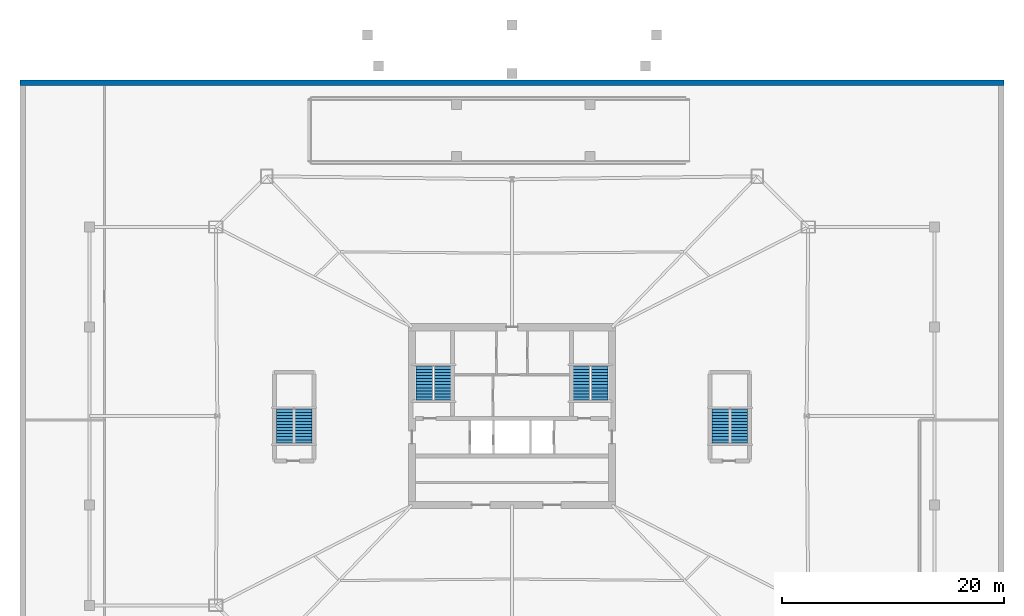
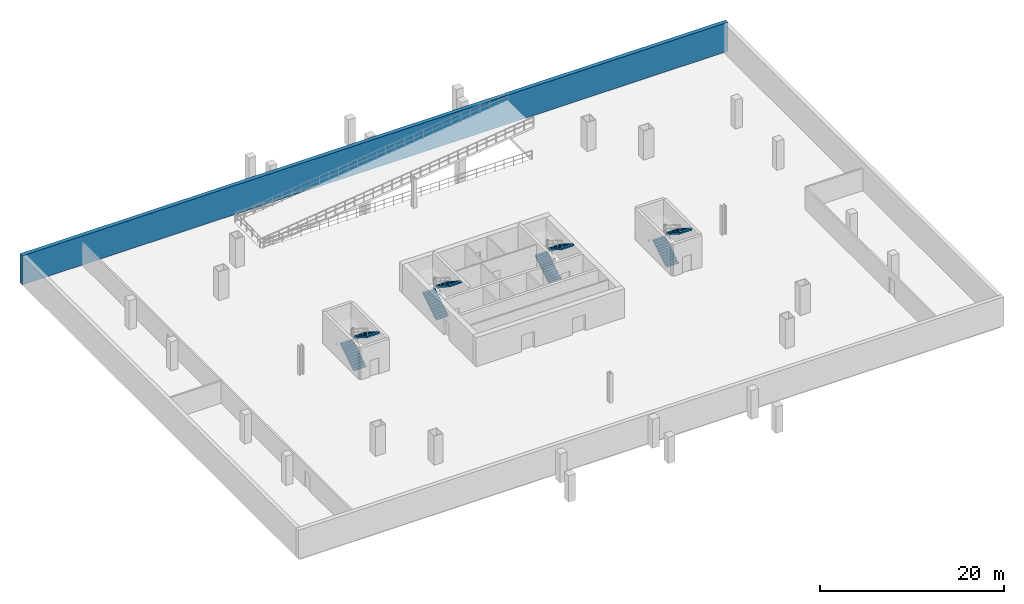
# One storey, part 6 of 9: 8 stair flights, 1 wall, 4 elements without a shape of their own.
"""IFC4 building model written with IfcOpenShell, lengths in metres."""

from ifc_helpers import new_model, si_unit, direction, frame, frame_2d, origin, place, context, subcontext, project, spatial, polyline, rectangle, outline, extrude, material, layer, layer_set, type_object, element, aggregate, save


model = new_model("IFC4")

# Units and contexts
model_context = context("Model", 3, precision=1e-05, world=origin(), true_north=direction((0.0, 1.0)))
body_context = subcontext(model_context, "Body", "Model", "MODEL_VIEW")
ifc_project = project(units=[si_unit("LENGTHUNIT", "METRE"), si_unit("AREAUNIT", "SQUARE_METRE"), si_unit("VOLUMEUNIT", "CUBIC_METRE"), si_unit("PLANEANGLEUNIT", "RADIAN"), si_unit("MASSUNIT", "GRAM", prefix="KILO")], contexts=[model_context])

# Site, building, storey
site_placement = place(None, origin())
site = spatial("IfcSite", under=ifc_project, at=site_placement, CompositionType="ELEMENT")
building_placement = place(site_placement, origin())
building = spatial("IfcBuilding", under=site, at=building_placement, Name="Caelvoria Tower", CompositionType="ELEMENT")
storey_placement = place(building_placement, frame((0.0, 0.0, -4.199951171875)))
storey = spatial("IfcBuildingStorey", under=building, at=storey_placement, Name="B1", CompositionType="ELEMENT", Elevation=-4.199951171875)

# Wall
ifc_material_1 = material(Name="Concrete C40/50", Category="concrete")
ifc_layer = layer(ifc_material_1, 0.5, Name="Concrete C40/50")
ifc_layer_set = layer_set([ifc_layer], Name="Basement Retaining Wall 500 - Concrete C40/50")
wall_type = type_object("IfcWallType", Name="Basement Retaining Wall 500", PredefinedType="SOLIDWALL", material=ifc_layer_set)
wall_placement = place(storey_placement, frame((1.75, 62.0, 0.0), z_axis=(0.0, 0.0, 1.0), x_axis=(1.0, 0.0, 0.0)))
element("IfcWall", 1, at=wall_placement, inside=storey, type_object=wall_type, Name="B1 Retaining Wall N", PredefinedType="SOLIDWALL", context=body_context, shape_type="SweptSolid", body=[
    extrude(rectangle(XDim=88.5, YDim=0.5, at=frame_2d((44.25, 0.0))), origin(), (0.0, 0.0, 1.0), 3.849853515625),
])

# Stair, stair flights
stair_type = type_object("IfcStairType", Name="Core Smokeproof Dogleg Stair Concrete C40/50", PredefinedType="HALF_TURN_STAIR", material=ifc_material_1)
stair_1_placement = place(storey_placement, origin())
stair_1 = element("IfcStair", 2, at=stair_1_placement, inside=storey, type_object=stair_type, Name="ST-01 Smokeproof Exit Stair B1", PredefinedType="HALF_TURN_STAIR")
ifc_material_2 = material(Name="Precast Concrete C40/50", Category="concrete")
stair_flight_type = type_object("IfcStairFlightType", Name="Precast Concrete C40/50 Stair Flight 1480", PredefinedType="STRAIGHT", material=ifc_material_2)
stair_flight_1_placement = place(storey_placement, frame((38.1298828125, 33.449951171875, 0.0), z_axis=(0.0, 0.0, 1.0), x_axis=(0.0, 1.0, 0.0)))
stair_flight_1 = element("IfcStairFlight", 3, at=stair_flight_1_placement, type_object=stair_flight_type, Name="ST-01 flight 1", NumberOfRisers=12, NumberOfTreads=11, PredefinedType="STRAIGHT", RiserHeight=0.175, TreadLength=0.275, context=body_context, shape_type="SweptSolid", body=[
    extrude(outline(polyline([(0.0, 0.0), (0.0, 0.175048828125), (0.27490234375, 0.175048828125), (0.27490234375, 0.35009765625), (0.550048828125, 0.35009765625), (0.550048828125, 0.52490234375), (0.824951171875, 0.52490234375), (0.824951171875, 0.699951171875), (1.10009765625, 0.699951171875), (1.10009765625, 0.875), (1.375, 0.875), (1.375, 1.050048828125), (1.64990234375, 1.050048828125), (1.64990234375, 1.22509765625), (1.925048828125, 1.22509765625), (1.925048828125, 1.39990234375), (2.199951171875, 1.39990234375), (2.199951171875, 1.574951171875), (2.47509765625, 1.574951171875), (2.47509765625, 1.75), (2.75, 1.75), (2.75, 1.925048828125), (3.02490234375, 1.925048828125), (3.02490234375, 2.10009765625), (3.02490234375, 1.7353515625), (0.2978515625, 0.0), (0.0, 0.0)])), frame((0.0, 0.77001953125, 0.0), z_axis=(0.0, -1.0, 0.0), x_axis=(1.0, 0.0, 0.0)), (0.0, 0.0, 1.0), 1.5400390625),
])
stair_flight_2_placement = place(storey_placement, frame((39.77001953125, 36.47509765625, 2.099853515625), z_axis=(0.0, 0.0, 1.0), x_axis=(0.0, -1.0, 0.0)))
stair_flight_2 = element("IfcStairFlight", 4, at=stair_flight_2_placement, type_object=stair_flight_type, Name="ST-01 flight 2", NumberOfRisers=12, NumberOfTreads=11, PredefinedType="STRAIGHT", RiserHeight=0.175, TreadLength=0.275, context=body_context, shape_type="SweptSolid", body=[
    extrude(outline(polyline([(0.0, 0.0), (0.0, 0.175048828125), (0.27490234375, 0.175048828125), (0.27490234375, 0.35009765625), (0.550048828125, 0.35009765625), (0.550048828125, 0.52490234375), (0.824951171875, 0.52490234375), (0.824951171875, 0.699951171875), (1.10009765625, 0.699951171875), (1.10009765625, 0.875), (1.375, 0.875), (1.375, 1.050048828125), (1.64990234375, 1.050048828125), (1.64990234375, 1.22509765625), (1.925048828125, 1.22509765625), (1.925048828125, 1.39990234375), (2.199951171875, 1.39990234375), (2.199951171875, 1.574951171875), (2.47509765625, 1.574951171875), (2.47509765625, 1.75), (2.75, 1.75), (2.75, 1.925048828125), (3.02490234375, 1.925048828125), (3.02490234375, 2.10009765625), (3.02490234375, 1.7353515625), (0.2978515625, 0.0), (0.0, 0.0)])), frame((0.0, 0.77001953125, 0.0), z_axis=(0.0, -1.0, 0.0), x_axis=(1.0, 0.0, 0.0)), (0.0, 0.0, 1.0), 1.5400390625),
])
aggregate(stair_1, [stair_flight_1, stair_flight_2])

stair_2_placement = place(storey_placement, origin())
stair_2 = element("IfcStair", 5, at=stair_2_placement, inside=storey, type_object=stair_type, Name="ST-02 Smokeproof Exit Stair B1", PredefinedType="HALF_TURN_STAIR")
stair_flight_3_placement = place(storey_placement, frame((52.22998046875, 33.449951171875, 0.0), z_axis=(0.0, 0.0, 1.0), x_axis=(0.0, 1.0, 0.0)))
stair_flight_3 = element("IfcStairFlight", 6, at=stair_flight_3_placement, type_object=stair_flight_type, Name="ST-02 flight 1", NumberOfRisers=12, NumberOfTreads=11, PredefinedType="STRAIGHT", RiserHeight=0.175, TreadLength=0.275, context=body_context, shape_type="SweptSolid", body=[
    extrude(outline(polyline([(0.0, 0.0), (0.0, 0.175048828125), (0.27490234375, 0.175048828125), (0.27490234375, 0.35009765625), (0.550048828125, 0.35009765625), (0.550048828125, 0.52490234375), (0.824951171875, 0.52490234375), (0.824951171875, 0.699951171875), (1.10009765625, 0.699951171875), (1.10009765625, 0.875), (1.375, 0.875), (1.375, 1.050048828125), (1.64990234375, 1.050048828125), (1.64990234375, 1.22509765625), (1.925048828125, 1.22509765625), (1.925048828125, 1.39990234375), (2.199951171875, 1.39990234375), (2.199951171875, 1.574951171875), (2.47509765625, 1.574951171875), (2.47509765625, 1.75), (2.75, 1.75), (2.75, 1.925048828125), (3.02490234375, 1.925048828125), (3.02490234375, 2.10009765625), (3.02490234375, 1.7353515625), (0.2978515625, 0.0), (0.0, 0.0)])), frame((0.0, 0.77001953125, 0.0), z_axis=(0.0, -1.0, 0.0), x_axis=(1.0, 0.0, 0.0)), (0.0, 0.0, 1.0), 1.5400390625),
])
stair_flight_4_placement = place(storey_placement, frame((53.8701171875, 36.47509765625, 2.099853515625), z_axis=(0.0, 0.0, 1.0), x_axis=(0.0, -1.0, 0.0)))
stair_flight_4 = element("IfcStairFlight", 7, at=stair_flight_4_placement, type_object=stair_flight_type, Name="ST-02 flight 2", NumberOfRisers=12, NumberOfTreads=11, PredefinedType="STRAIGHT", RiserHeight=0.175, TreadLength=0.275, context=body_context, shape_type="SweptSolid", body=[
    extrude(outline(polyline([(0.0, 0.0), (0.0, 0.175048828125), (0.27490234375, 0.175048828125), (0.27490234375, 0.35009765625), (0.550048828125, 0.35009765625), (0.550048828125, 0.52490234375), (0.824951171875, 0.52490234375), (0.824951171875, 0.699951171875), (1.10009765625, 0.699951171875), (1.10009765625, 0.875), (1.375, 0.875), (1.375, 1.050048828125), (1.64990234375, 1.050048828125), (1.64990234375, 1.22509765625), (1.925048828125, 1.22509765625), (1.925048828125, 1.39990234375), (2.199951171875, 1.39990234375), (2.199951171875, 1.574951171875), (2.47509765625, 1.574951171875), (2.47509765625, 1.75), (2.75, 1.75), (2.75, 1.925048828125), (3.02490234375, 1.925048828125), (3.02490234375, 2.10009765625), (3.02490234375, 1.7353515625), (0.2978515625, 0.0), (0.0, 0.0)])), frame((0.0, 0.77001953125, 0.0), z_axis=(0.0, -1.0, 0.0), x_axis=(1.0, 0.0, 0.0)), (0.0, 0.0, 1.0), 1.5400390625),
])
aggregate(stair_2, [stair_flight_3, stair_flight_4])

stair_3_placement = place(storey_placement, origin())
stair_3 = element("IfcStair", 8, at=stair_3_placement, inside=storey, type_object=stair_type, Name="ST-03 Smokeproof Exit Stair B1", PredefinedType="HALF_TURN_STAIR")
stair_flight_5_placement = place(storey_placement, frame((25.580078125, 29.60009765625, 0.0), z_axis=(0.0, 0.0, 1.0), x_axis=(0.0, 1.0, 0.0)))
stair_flight_5 = element("IfcStairFlight", 9, at=stair_flight_5_placement, type_object=stair_flight_type, Name="ST-03 flight 1", NumberOfRisers=12, NumberOfTreads=11, PredefinedType="STRAIGHT", RiserHeight=0.175, TreadLength=0.275, context=body_context, shape_type="SweptSolid", body=[
    extrude(outline(polyline([(0.0, 0.0), (0.0, 0.175048828125), (0.27490234375, 0.175048828125), (0.27490234375, 0.35009765625), (0.550048828125, 0.35009765625), (0.550048828125, 0.52490234375), (0.824951171875, 0.52490234375), (0.824951171875, 0.699951171875), (1.10009765625, 0.699951171875), (1.10009765625, 0.875), (1.375, 0.875), (1.375, 1.050048828125), (1.64990234375, 1.050048828125), (1.64990234375, 1.22509765625), (1.925048828125, 1.22509765625), (1.925048828125, 1.39990234375), (2.199951171875, 1.39990234375), (2.199951171875, 1.574951171875), (2.47509765625, 1.574951171875), (2.47509765625, 1.75), (2.75, 1.75), (2.75, 1.925048828125), (3.02490234375, 1.925048828125), (3.02490234375, 2.10009765625), (3.02490234375, 1.7353515625), (0.2978515625, 0.0), (0.0, 0.0)])), frame((0.0, 0.77001953125, 0.0), z_axis=(0.0, -1.0, 0.0), x_axis=(1.0, 0.0, 0.0)), (0.0, 0.0, 1.0), 1.5400390625),
])
stair_flight_6_placement = place(storey_placement, frame((27.219970703125, 32.625, 2.099853515625), z_axis=(0.0, 0.0, 1.0), x_axis=(0.0, -1.0, 0.0)))
stair_flight_6 = element("IfcStairFlight", 10, at=stair_flight_6_placement, type_object=stair_flight_type, Name="ST-03 flight 2", NumberOfRisers=12, NumberOfTreads=11, PredefinedType="STRAIGHT", RiserHeight=0.175, TreadLength=0.275, context=body_context, shape_type="SweptSolid", body=[
    extrude(outline(polyline([(0.0, 0.0), (0.0, 0.175048828125), (0.27490234375, 0.175048828125), (0.27490234375, 0.35009765625), (0.550048828125, 0.35009765625), (0.550048828125, 0.52490234375), (0.824951171875, 0.52490234375), (0.824951171875, 0.699951171875), (1.10009765625, 0.699951171875), (1.10009765625, 0.875), (1.375, 0.875), (1.375, 1.050048828125), (1.64990234375, 1.050048828125), (1.64990234375, 1.22509765625), (1.925048828125, 1.22509765625), (1.925048828125, 1.39990234375), (2.199951171875, 1.39990234375), (2.199951171875, 1.574951171875), (2.47509765625, 1.574951171875), (2.47509765625, 1.75), (2.75, 1.75), (2.75, 1.925048828125), (3.02490234375, 1.925048828125), (3.02490234375, 2.10009765625), (3.02490234375, 1.7353515625), (0.2978515625, 0.0), (0.0, 0.0)])), frame((0.0, 0.77001953125, 0.0), z_axis=(0.0, -1.0, 0.0), x_axis=(1.0, 0.0, 0.0)), (0.0, 0.0, 1.0), 1.5400390625),
])
aggregate(stair_3, [stair_flight_5, stair_flight_6])

stair_4_placement = place(storey_placement, origin())
stair_4 = element("IfcStair", 11, at=stair_4_placement, inside=storey, type_object=stair_type, Name="ST-04 Smokeproof Exit Stair B1", PredefinedType="HALF_TURN_STAIR")
stair_flight_7_placement = place(storey_placement, frame((64.780029296875, 29.60009765625, 0.0), z_axis=(0.0, 0.0, 1.0), x_axis=(0.0, 1.0, 0.0)))
stair_flight_7 = element("IfcStairFlight", 12, at=stair_flight_7_placement, type_object=stair_flight_type, Name="ST-04 flight 1", NumberOfRisers=12, NumberOfTreads=11, PredefinedType="STRAIGHT", RiserHeight=0.175, TreadLength=0.275, context=body_context, shape_type="SweptSolid", body=[
    extrude(outline(polyline([(0.0, 0.0), (0.0, 0.175048828125), (0.27490234375, 0.175048828125), (0.27490234375, 0.35009765625), (0.550048828125, 0.35009765625), (0.550048828125, 0.52490234375), (0.824951171875, 0.52490234375), (0.824951171875, 0.699951171875), (1.10009765625, 0.699951171875), (1.10009765625, 0.875), (1.375, 0.875), (1.375, 1.050048828125), (1.64990234375, 1.050048828125), (1.64990234375, 1.22509765625), (1.925048828125, 1.22509765625), (1.925048828125, 1.39990234375), (2.199951171875, 1.39990234375), (2.199951171875, 1.574951171875), (2.47509765625, 1.574951171875), (2.47509765625, 1.75), (2.75, 1.75), (2.75, 1.925048828125), (3.02490234375, 1.925048828125), (3.02490234375, 2.10009765625), (3.02490234375, 1.7353515625), (0.2978515625, 0.0), (0.0, 0.0)])), frame((0.0, 0.77001953125, 0.0), z_axis=(0.0, -1.0, 0.0), x_axis=(1.0, 0.0, 0.0)), (0.0, 0.0, 1.0), 1.5400390625),
])
stair_flight_8_placement = place(storey_placement, frame((66.419921875, 32.625, 2.099853515625), z_axis=(0.0, 0.0, 1.0), x_axis=(0.0, -1.0, 0.0)))
stair_flight_8 = element("IfcStairFlight", 13, at=stair_flight_8_placement, type_object=stair_flight_type, Name="ST-04 flight 2", NumberOfRisers=12, NumberOfTreads=11, PredefinedType="STRAIGHT", RiserHeight=0.175, TreadLength=0.275, context=body_context, shape_type="SweptSolid", body=[
    extrude(outline(polyline([(0.0, 0.0), (0.0, 0.175048828125), (0.27490234375, 0.175048828125), (0.27490234375, 0.35009765625), (0.550048828125, 0.35009765625), (0.550048828125, 0.52490234375), (0.824951171875, 0.52490234375), (0.824951171875, 0.699951171875), (1.10009765625, 0.699951171875), (1.10009765625, 0.875), (1.375, 0.875), (1.375, 1.050048828125), (1.64990234375, 1.050048828125), (1.64990234375, 1.22509765625), (1.925048828125, 1.22509765625), (1.925048828125, 1.39990234375), (2.199951171875, 1.39990234375), (2.199951171875, 1.574951171875), (2.47509765625, 1.574951171875), (2.47509765625, 1.75), (2.75, 1.75), (2.75, 1.925048828125), (3.02490234375, 1.925048828125), (3.02490234375, 2.10009765625), (3.02490234375, 1.7353515625), (0.2978515625, 0.0), (0.0, 0.0)])), frame((0.0, 0.77001953125, 0.0), z_axis=(0.0, -1.0, 0.0), x_axis=(1.0, 0.0, 0.0)), (0.0, 0.0, 1.0), 1.5400390625),
])
aggregate(stair_4, [stair_flight_7, stair_flight_8])

save(model, "model.ifc")
